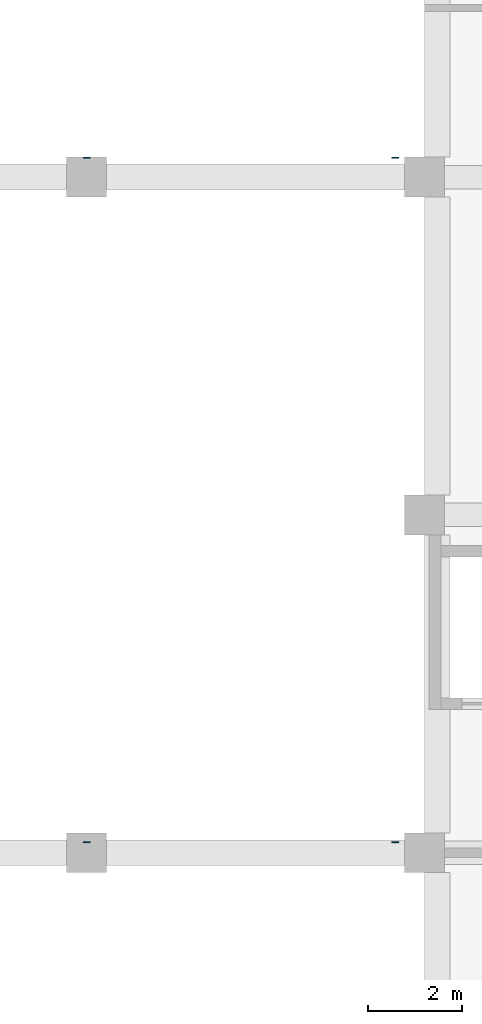
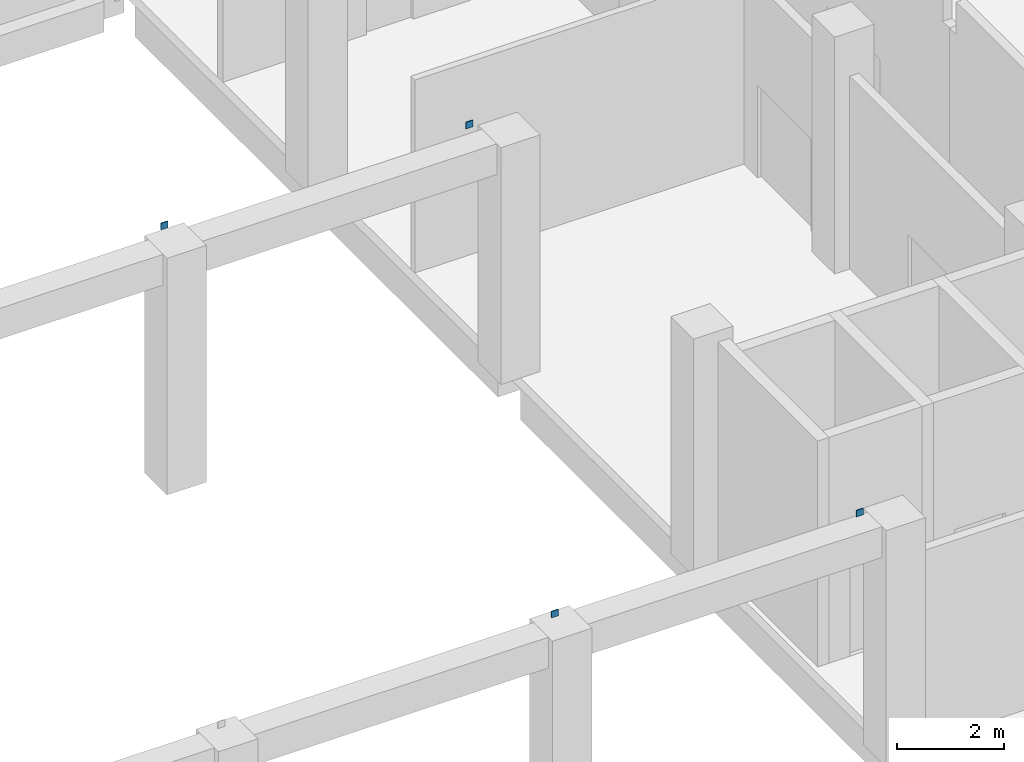
# One storey, part 43 of 48: 4 discrete accessories.
"""IFC4 building model written with IfcOpenShell, lengths in metres."""

from ifc_helpers import new_model, si_unit, direction, frame, origin, origin_2d, place, context, subcontext, project, spatial, rectangle, extrude, material, element, save


model = new_model("IFC4")

# Units and contexts
model_context = context("Model", 3, precision=1e-05, world=origin(), true_north=direction((0.0, 1.0)))
body_context = subcontext(model_context, "Body", "Model", "MODEL_VIEW")
ifc_project = project(units=[si_unit("LENGTHUNIT", "METRE"), si_unit("AREAUNIT", "SQUARE_METRE"), si_unit("VOLUMEUNIT", "CUBIC_METRE"), si_unit("PLANEANGLEUNIT", "RADIAN"), si_unit("MASSUNIT", "GRAM", prefix="KILO")], contexts=[model_context])

# Site, building, storey
site_placement = place(None, origin())
site = spatial("IfcSite", under=ifc_project, at=site_placement, CompositionType="ELEMENT")
building_placement = place(site_placement, origin())
building = spatial("IfcBuilding", under=site, at=building_placement, Name="Silangan Lancet Faculty of Sciences", CompositionType="ELEMENT")
storey_placement = place(building_placement, frame((0.0, 0.0, 6.0)))
storey = spatial("IfcBuildingStorey", under=building, at=storey_placement, Name="L01", CompositionType="ELEMENT", Elevation=6.0)

# Discrete accessories
ifc_material = material(Name="Steel STKR400", Category="steel")
for number, where, z_axis, x_axis, name in (
    (1, (64.800048828125, 36.4150390625, 5.420166015625), (0.0, 0.0, 1.0), (1.0, 0.0, 0.0), "Truss 6 bottom chord cap"),
    (2, (71.375, 36.4150390625, 5.420166015625), (0.0, 0.0, 1.0), (1.0, 0.0, 0.0), "Truss 7 bottom chord cap"),
    (3, (64.800048828125, 21.820068359375, 5.420166015625), (0.0, 0.0, 1.0), (1.0, 0.0, 0.0), "Truss 3 bottom chord cap"),
    (4, (71.375, 21.820068359375, 5.420166015625), (0.0, 0.0, 1.0), (1.0, 0.0, 0.0), "Truss 4 bottom chord cap"),
):
    element("IfcDiscreteAccessory", number, at=place(storey_placement, frame(where, z_axis=z_axis, x_axis=x_axis)), inside=storey, material=ifc_material, Name=name, ObjectType="END CAP", PredefinedType="USERDEFINED", context=body_context, shape_type="SweptSolid", body=[
        extrude(rectangle(XDim=0.14990234375, YDim=0.02001953125, at=origin_2d()), origin(), (0.0, 0.0, 1.0), 0.14990234375),
    ])

save(model, "model.ifc")
